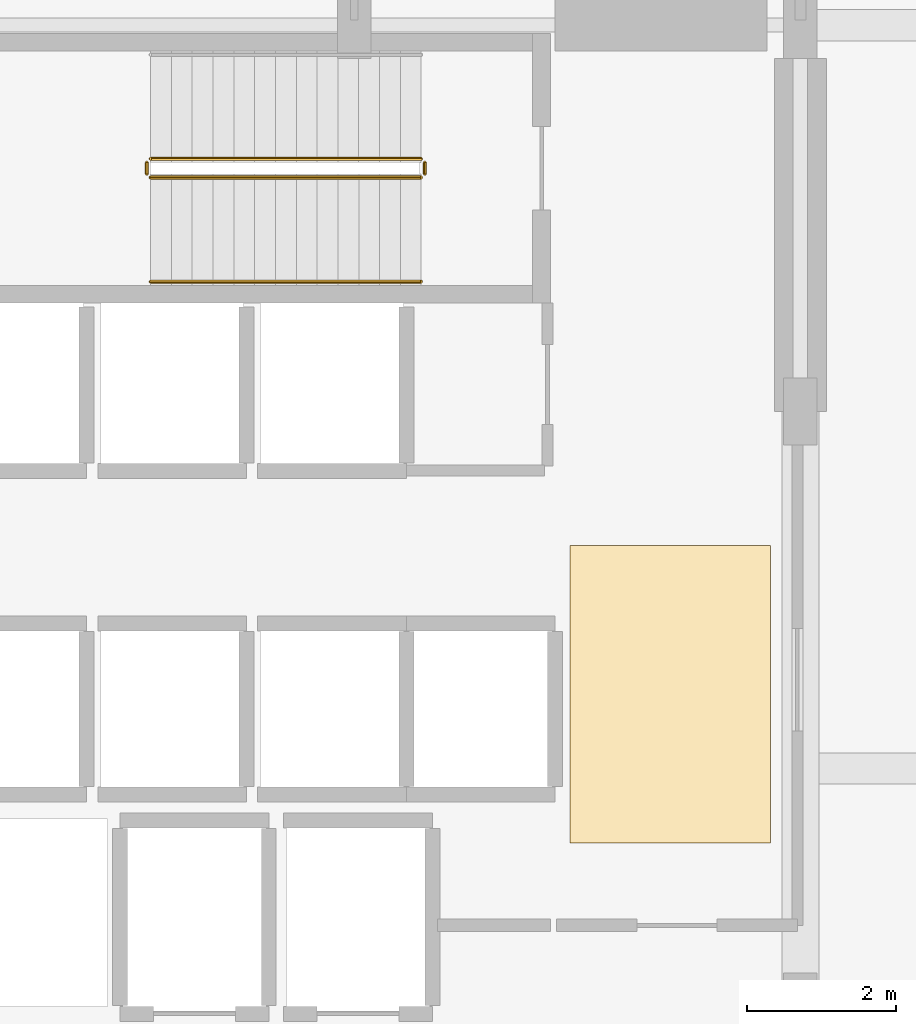
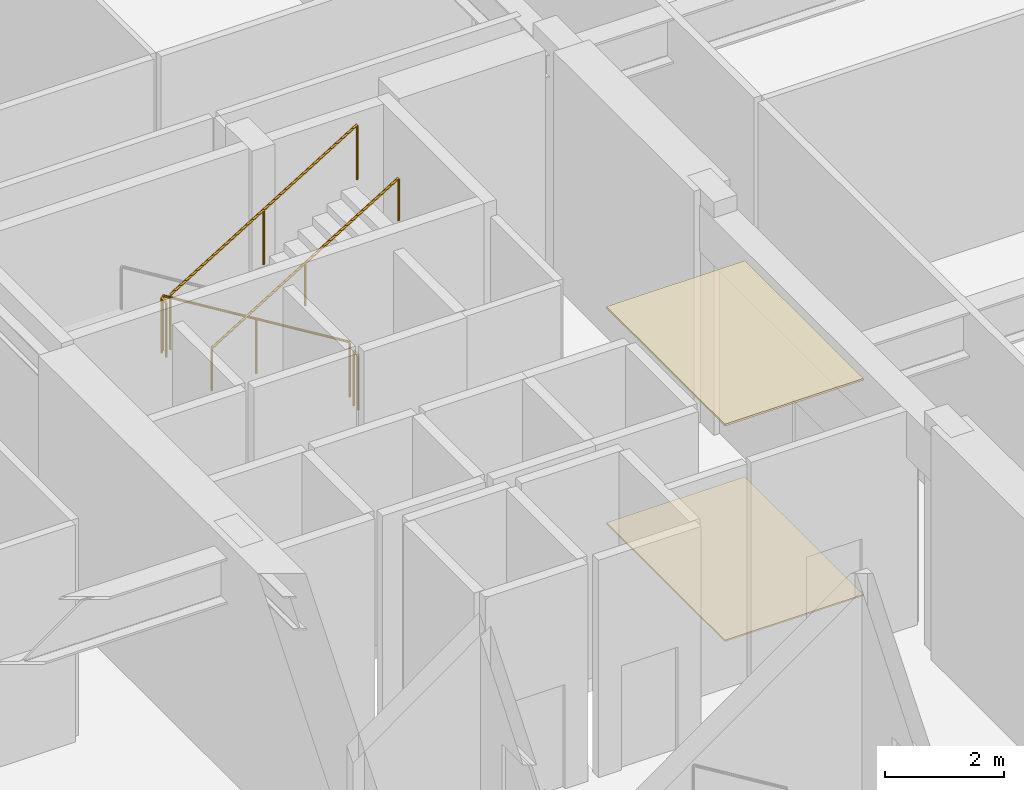
# One storey, part 26 of 28: 5 railings, 2 coverings.
"""IFC4 building model written with IfcOpenShell, lengths in metres."""

from ifc_helpers import new_model, si_unit, direction, frame, origin, origin_2d, place, context, subcontext, project, spatial, polyline, circle, outline, extrude, material, layer, layer_set, type_object, element, save


model = new_model("IFC4")

# Units and contexts
model_context = context("Model", 3, precision=1e-05, world=origin(), true_north=direction((0.0, 1.0)))
body_context = subcontext(model_context, "Body", "Model", "MODEL_VIEW")
ifc_project = project(units=[si_unit("LENGTHUNIT", "METRE"), si_unit("AREAUNIT", "SQUARE_METRE"), si_unit("VOLUMEUNIT", "CUBIC_METRE"), si_unit("PLANEANGLEUNIT", "RADIAN"), si_unit("MASSUNIT", "GRAM", prefix="KILO")], contexts=[model_context])

# Site, building, storey
site_placement = place(None, origin())
site = spatial("IfcSite", under=ifc_project, at=site_placement, CompositionType="ELEMENT")
building_placement = place(site_placement, origin())
building = spatial("IfcBuilding", under=site, at=building_placement, Name="Soratama Intermodal Tower", CompositionType="ELEMENT")
storey_placement = place(building_placement, frame((0.0, 0.0, 11.39990234375)))
storey = spatial("IfcBuildingStorey", under=building, at=storey_placement, Name="L02", CompositionType="ELEMENT", Elevation=11.39990234375)

# Coverings
ifc_material_1 = material(Name="Perforated mineral acoustic ceiling", Category="concrete")
ifc_layer_1 = layer(ifc_material_1, 0.0400390625)
ifc_layer_set_1 = layer_set([ifc_layer_1], Name="Perforated mineral acoustic ceiling")
covering_type_1 = type_object("IfcCoveringType", Name="CV-CEIL-ACOUSTIC", PredefinedType="CEILING", material=ifc_layer_set_1)
covering_1_placement = place(storey_placement, frame((0.0, 0.0, 4.440185546875)))
element("IfcCovering", 1, at=covering_1_placement, inside=storey, type_object=covering_type_1, Name="L02 Acoustic Ceiling", PredefinedType="CEILING", context=body_context, shape_type="SweptSolid", body=[
    extrude(outline(polyline([(41.5, 24.0), (44.199951171875, 24.0), (44.199951171875, 28.0), (41.5, 28.0), (41.5, 24.0)])), origin(), (0.0, 0.0, 1.0), 0.039794921875),
])
ifc_material_2 = material(Name="Polished Andean stone terrazzo flooring", Category="masonry")
ifc_layer_2 = layer(ifc_material_2, 0.030029296875)
ifc_layer_set_2 = layer_set([ifc_layer_2], Name="Polished Andean stone terrazzo flooring")
covering_type_2 = type_object("IfcCoveringType", Name="CV-FLOR-TERRAZZO", PredefinedType="FLOORING", material=ifc_layer_set_2)
covering_2_placement = place(storey_placement, origin())
element("IfcCovering", 2, at=covering_2_placement, inside=storey, type_object=covering_type_2, Name="L02 Lobby Terrazzo Flooring", PredefinedType="FLOORING", context=body_context, shape_type="SweptSolid", body=[
    extrude(outline(polyline([(41.5, 24.0), (44.199951171875, 24.0), (44.199951171875, 28.0), (41.5, 28.0), (41.5, 24.0)])), origin(), (0.0, 0.0, 1.0), 0.030029296875),
])

# Railings
ifc_material_3 = material(Name="Painted steel stair guardrail", Category="steel")
railing_type_1 = type_object("IfcRailingType", Name="RL-STAIR-GUARD", PredefinedType="GUARDRAIL", material=ifc_material_3)
railing_1_placement = place(storey_placement, frame((39.5, 33.199951171875, 0.171630859375)))
element("IfcRailing", 3, at=railing_1_placement, inside=storey, type_object=railing_type_1, Name="L02 ST-2 stair guard 1", PredefinedType="GUARDRAIL", context=body_context, shape_type="SweptSolid", body=[
    extrude(circle(Radius=0.02392578125, at=origin_2d()), frame((0.0, 0.0, 1.1259765625), z_axis=(-0.852850264322, 0.0, 0.5221555579), x_axis=(0.0, -1.0, 0.0)), (0.0, 0.0, 1.0), 4.267822265625),
    extrude(circle(Radius=0.02099609375, at=origin_2d()), origin(), (0.0, 0.0, 1.0), 1.101806640625),
    extrude(circle(Radius=0.02099609375, at=origin_2d()), frame((-1.81982421875, 0.0, 1.1142578125)), (0.0, 0.0, 1.0), 1.101806640625),
    extrude(circle(Radius=0.02099609375, at=origin_2d()), frame((-3.639892578125, 0.0, 2.228515625)), (0.0, 0.0, 1.0), 1.101806640625),
])
railing_2_placement = place(storey_placement, frame((35.81005859375, 33.14990234375, 2.400146484375)))
element("IfcRailing", 4, at=railing_2_placement, inside=storey, type_object=railing_type_1, Name="L02 ST-2 stair guard 2", PredefinedType="GUARDRAIL", context=body_context, shape_type="SweptSolid", body=[
    extrude(circle(Radius=0.02392578125, at=origin_2d()), frame((0.0, 0.0, 1.1259765625), z_axis=(0.0, -1.0, 0.0), x_axis=(1.0, 0.0, 0.0)), (0.0, 0.0, 1.0), 0.14990234375),
    extrude(circle(Radius=0.02099609375, at=origin_2d()), origin(), (0.0, 0.0, 1.0), 1.101806640625),
    extrude(circle(Radius=0.02099609375, at=origin_2d()), frame((0.0, -0.14990234375, 0.0)), (0.0, 0.0, 1.0), 1.101806640625),
])
railing_3_placement = place(storey_placement, frame((35.860107421875, 32.949951171875, 2.571533203125)))
element("IfcRailing", 5, at=railing_3_placement, inside=storey, type_object=railing_type_1, Name="L02 ST-2 stair guard 3", PredefinedType="GUARDRAIL", context=body_context, shape_type="SweptSolid", body=[
    extrude(circle(Radius=0.02392578125, at=origin_2d()), frame((0.0, 0.0, 1.1259765625), z_axis=(0.852850264322, 0.0, 0.5221555579), x_axis=(0.0, 1.0, 0.0)), (0.0, 0.0, 1.0), 4.267822265625),
    extrude(circle(Radius=0.02099609375, at=origin_2d()), origin(), (0.0, 0.0, 1.0), 1.101806640625),
    extrude(circle(Radius=0.02099609375, at=origin_2d()), frame((1.81982421875, 0.0, 1.1142578125)), (0.0, 0.0, 1.0), 1.101806640625),
    extrude(circle(Radius=0.02099609375, at=origin_2d()), frame((3.639892578125, 0.0, 2.228515625)), (0.0, 0.0, 1.0), 1.101806640625),
])
railing_4_placement = place(storey_placement, frame((39.550048828125, 33.14990234375, 0.0)))
element("IfcRailing", 6, at=railing_4_placement, inside=storey, type_object=railing_type_1, Name="L02 ST-2 stair guard 4", PredefinedType="GUARDRAIL", context=body_context, shape_type="SweptSolid", body=[
    extrude(circle(Radius=0.02392578125, at=origin_2d()), frame((0.0, 0.0, 1.1259765625), z_axis=(0.0, -1.0, 0.0), x_axis=(1.0, 0.0, 0.0)), (0.0, 0.0, 1.0), 0.14990234375),
    extrude(circle(Radius=0.02099609375, at=origin_2d()), origin(), (0.0, 0.0, 1.0), 1.101806640625),
    extrude(circle(Radius=0.02099609375, at=origin_2d()), frame((0.0, -0.14990234375, 0.0)), (0.0, 0.0, 1.0), 1.101806640625),
])
ifc_material_4 = material(Name="Brushed stainless steel handrail", Category="steel")
railing_type_2 = type_object("IfcRailingType", Name="RL-STAIR-HAND", PredefinedType="HANDRAIL", material=ifc_material_4)
railing_5_placement = place(storey_placement, frame((35.860107421875, 31.550048828125, 2.571533203125)))
element("IfcRailing", 7, at=railing_5_placement, inside=storey, type_object=railing_type_2, Name="L02 ST-2 stair handrail 2", PredefinedType="HANDRAIL", context=body_context, shape_type="SweptSolid", body=[
    extrude(circle(Radius=0.02392578125, at=origin_2d()), frame((0.0, 0.0, 0.8759765625), z_axis=(0.852850264322, 0.0, 0.5221555579), x_axis=(0.0, 1.0, 0.0)), (0.0, 0.0, 1.0), 4.267822265625),
    extrude(circle(Radius=0.02099609375, at=origin_2d()), origin(), (0.0, 0.0, 1.0), 0.851806640625),
    extrude(circle(Radius=0.02099609375, at=origin_2d()), frame((1.81982421875, 0.0, 1.1142578125)), (0.0, 0.0, 1.0), 0.851806640625),
    extrude(circle(Radius=0.02099609375, at=origin_2d()), frame((3.639892578125, 0.0, 2.228515625)), (0.0, 0.0, 1.0), 0.851806640625),
])

save(model, "model.ifc")
